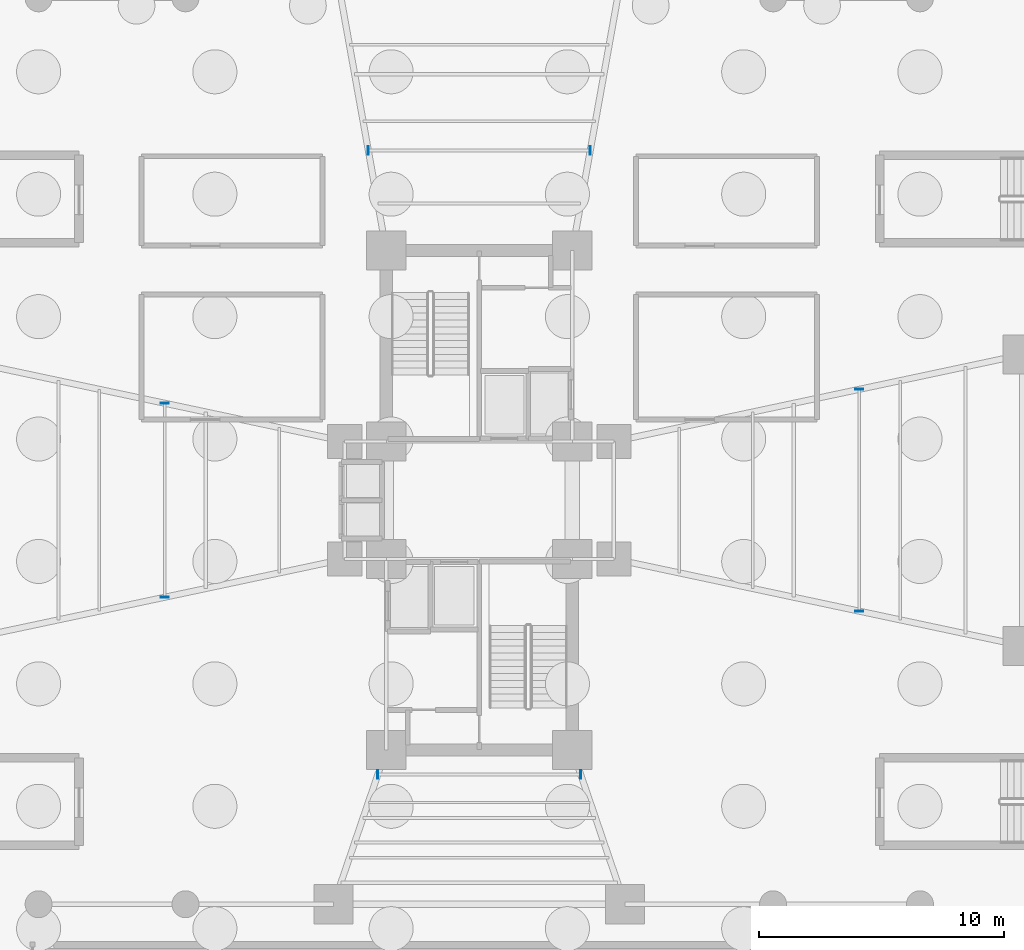
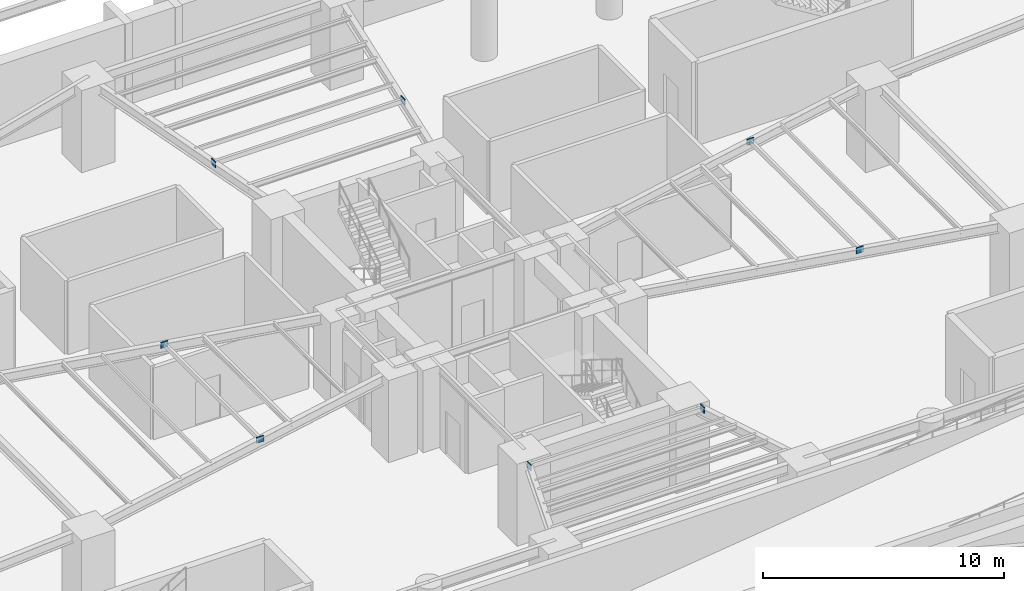
# One storey, part 6 of 15: 8 plates.
"""IFC4 building model written with IfcOpenShell, lengths in metres."""

from ifc_helpers import new_model, si_unit, direction, frame, origin, origin_2d, place, context, subcontext, project, spatial, rectangle, extrude, source, transform, mapped, material, type_object, element, save


model = new_model("IFC4")

# Units and contexts
model_context = context("Model", 3, precision=1e-05, world=origin(), true_north=direction((0.0, 1.0)))
body_context = subcontext(model_context, "Body", "Model", "MODEL_VIEW")
ifc_project = project(units=[si_unit("LENGTHUNIT", "METRE"), si_unit("AREAUNIT", "SQUARE_METRE"), si_unit("VOLUMEUNIT", "CUBIC_METRE"), si_unit("PLANEANGLEUNIT", "RADIAN"), si_unit("MASSUNIT", "GRAM", prefix="KILO")], contexts=[model_context])

# Site, building, storey
site_placement = place(None, origin())
site = spatial("IfcSite", under=ifc_project, at=site_placement, CompositionType="ELEMENT")
building_placement = place(site_placement, origin())
building = spatial("IfcBuilding", under=site, at=building_placement, Name="Sahyath Konkavel Grand Hotel", CompositionType="ELEMENT")
storey_placement = place(building_placement, frame((0.0, 0.0, -9.0)))
storey = spatial("IfcBuildingStorey", under=building, at=storey_placement, Name="B2", CompositionType="ELEMENT", Elevation=-9.0)

# Plates
ifc_material = material(Name="Steel E450", Category="steel")
plate_type = type_object("IfcPlateType", Name="GUSSET-END-35", PredefinedType="USERDEFINED", material=ifc_material)
shared_shape = source(origin(), body_context, "Body", "SweptSolid", [
    extrude(rectangle(XDim=0.0400390625, YDim=0.340087890625, at=origin_2d()), origin(), (0.0, 0.0, 1.0), 0.300048828125),
])
for number, where, z_axis, x_axis, name in (
    (1, (15.52001953125, -4.530029296875, 3.89013671875), (0.0, 0.0, 1.0), (0.0, 1.0, 0.0), "B2 Sub-Beam E-4 End Cap A"),
    (2, (15.52001953125, 4.530029296875, 3.89013671875), (0.0, 0.0, 1.0), (0.0, 1.0, 0.0), "B2 Sub-Beam E-4 End Cap B"),
    (3, (-12.847900390625, 3.9619140625, 3.89013671875), (0.0, 0.0, 1.0), (0.0, -1.0, 0.0), "B2 Sub-Beam W-3 End Cap A"),
    (4, (-12.847900390625, -3.9619140625, 3.89013671875), (0.0, 0.0, 1.0), (0.0, -1.0, 0.0), "B2 Sub-Beam W-3 End Cap B"),
    (5, (4.531005859375, 14.280029296875, 3.89013671875), (0.0, 0.0, 1.0), (-1.0, 0.0, 0.0), "B2 Sub-Beam N-2 End Cap A"),
    (6, (-4.531005859375, 14.280029296875, 3.89013671875), (0.0, 0.0, 1.0), (-1.0, 0.0, 0.0), "B2 Sub-Beam N-2 End Cap B"),
    (7, (-4.14404296875, -11.2080078125, 3.89013671875), (0.0, 0.0, 1.0), (1.0, 0.0, 0.0), "B2 Sub-Beam S-1 End Cap A"),
    (8, (4.14404296875, -11.2080078125, 3.89013671875), (0.0, 0.0, 1.0), (1.0, 0.0, 0.0), "B2 Sub-Beam S-1 End Cap B"),
):
    element("IfcPlate", number, at=place(storey_placement, frame(where, z_axis=z_axis, x_axis=x_axis)), inside=storey, type_object=plate_type, Name=name, ObjectType="GUSSET_PLATE", PredefinedType="USERDEFINED", context=body_context, shape_type="MappedRepresentation", body=[
        mapped(shared_shape, transform((0.0, 0.0, 0.0), scale=1.0)),
    ])

save(model, "model.ifc")
